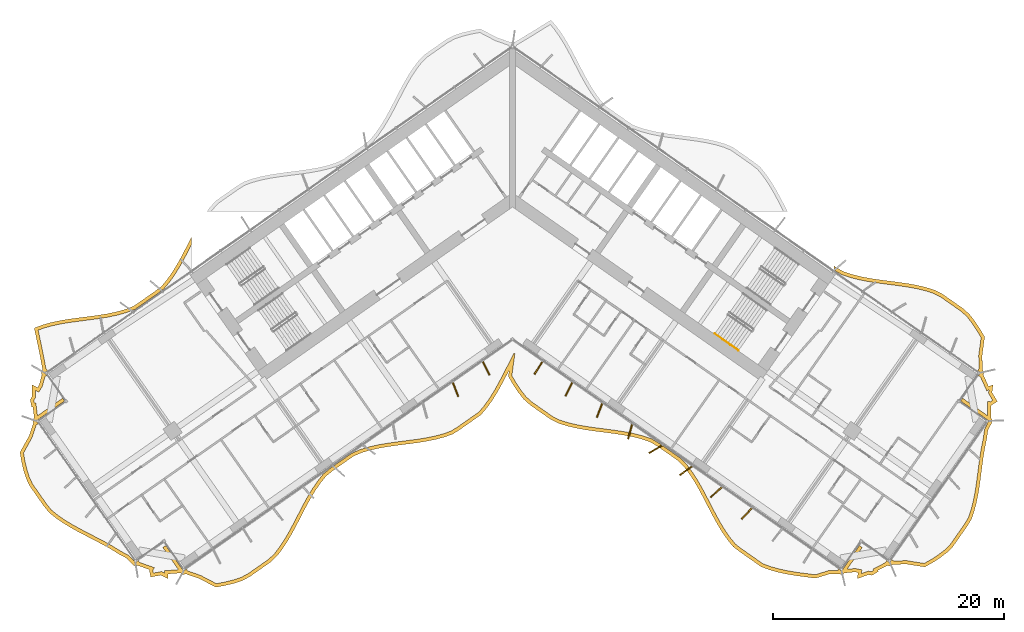
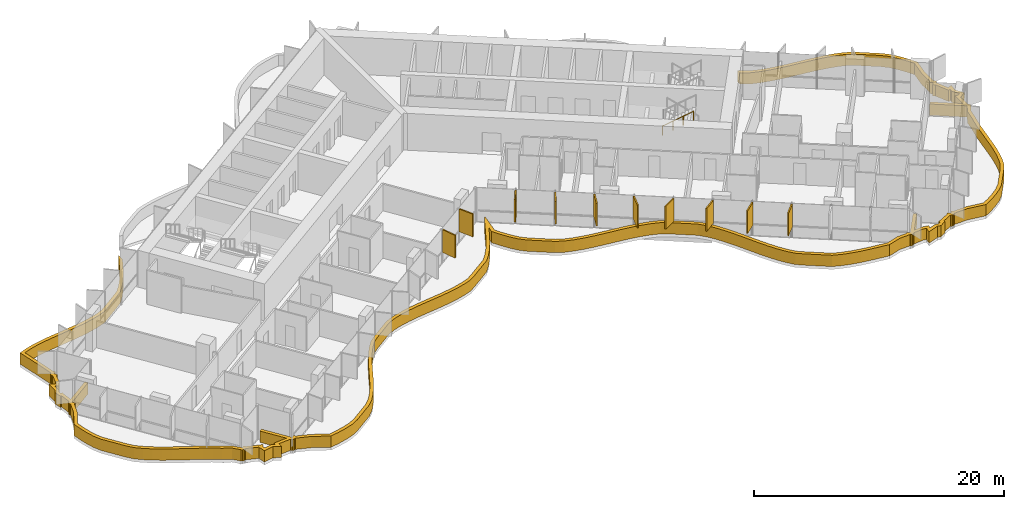
# One storey, part 20 of 23: 11 shading devices, 1 railing.
"""IFC4 building model written with IfcOpenShell, lengths in metres."""

from ifc_helpers import new_model, si_unit, direction, frame, origin, origin_2d, place, context, subcontext, project, spatial, polyline, rectangle, circle, outline, extrude, material, layer, layer_set, type_object, element, save


model = new_model("IFC4")

# Units and contexts
model_context = context("Model", 3, precision=1e-05, world=origin(), true_north=direction((0.0, 1.0)))
body_context = subcontext(model_context, "Body", "Model", "MODEL_VIEW")
ifc_project = project(units=[si_unit("LENGTHUNIT", "METRE"), si_unit("AREAUNIT", "SQUARE_METRE"), si_unit("VOLUMEUNIT", "CUBIC_METRE"), si_unit("PLANEANGLEUNIT", "RADIAN"), si_unit("MASSUNIT", "GRAM", prefix="KILO")], contexts=[model_context])

# Site, building, storey
site_placement = place(None, origin())
site = spatial("IfcSite", under=ifc_project, at=site_placement, CompositionType="ELEMENT")
building_placement = place(site_placement, origin())
building = spatial("IfcBuilding", under=site, at=building_placement, Name="Tel Ilan Convention Tower", CompositionType="ELEMENT")
storey_placement = place(building_placement, frame((0.0, 0.0, 115.699951171875)))
storey = spatial("IfcBuildingStorey", under=building, at=storey_placement, Name="L25", CompositionType="ELEMENT", Elevation=115.699951171875)

# Shading devices
ifc_material_1 = material(Name="Aluminium, bronze anodised", Category="aluminium")
ifc_layer_1 = layer(ifc_material_1, 0.1201171875)
ifc_layer_set_1 = layer_set([ifc_layer_1], Name="FIN BRONZE 1300x120")
shading_device_type_1 = type_object("IfcShadingDeviceType", Name="FIN BRONZE 1300x120", PredefinedType="USERDEFINED", material=ifc_layer_set_1)
for number, where, z_axis, x_axis, name in (
    (1, (-4.947998046875, -17.070068359375, 1.10009765625), (0.0, 0.0, 1.0), (0.360177724803, -0.932883704733, 0.0), "FIN"),
    (2, (-2.298583984375, -15.222900390625, 1.10009765625), (0.0, 0.0, 1.0), (0.448799180206, -0.893632640321, 0.0), "FIN"),
    (3, (2.2470703125, -15.18701171875, 1.10009765625), (0.0, 0.0, 1.0), (-0.533204432798, -0.845986425922, 0.0), "FIN"),
    (4, (4.893798828125, -17.039794921875, 1.10009765625), (0.0, 0.0, 1.0), (-0.448799180206, -0.893632640321, 0.0), "FIN"),
    (5, (7.543212890625, -18.88720703125, 1.10009765625), (0.0, 0.0, 1.0), (-0.360177724803, -0.932883704733, 0.0), "FIN"),
    (6, (10.19482421875, -20.728515625, 1.10009765625), (0.0, 0.0, 1.0), (-0.268172612768, -0.963370878614, 0.0), "FIN"),
    (7, (12.398193359375, -22.248779296875, 1.10009765625), (0.0, 0.0, 1.0), (-0.866025403784, -0.5, 0.0), "FIN"),
    (8, (15.0302734375, -24.114501953125, 1.10009765625), (0.0, 0.0, 1.0), (-0.813552070258, -0.581492071294, 0.0), "FIN"),
    (9, (17.667724609375, -25.9765625, 1.10009765625), (0.0, 0.0, 1.0), (-0.753435896329, -0.657521368568, 0.0), "FIN"),
    (10, (20.309814453125, -27.834228515625, 1.10009765625), (0.0, 0.0, 1.0), (-0.686241637865, -0.727373641577, 0.0), "FIN"),
):
    element("IfcShadingDevice", number, at=place(storey_placement, frame(where, z_axis=z_axis, x_axis=x_axis)), inside=storey, type_object=shading_device_type_1, Name=name, ObjectType="FIN", PredefinedType="USERDEFINED", context=body_context, shape_type="SweptSolid", body=[
        extrude(rectangle(XDim=1.300048828125, YDim=0.1201171875, at=origin_2d()), origin(), (0.0, 0.0, 1.0), 2.219970703125),
    ])
ifc_material_2 = material(Name="Aluminium, bronze anodised", Category="aluminium")
ifc_layer_2 = layer(ifc_material_2, 0.300048828125)
ifc_layer_set_2 = layer_set([ifc_layer_2], Name="LOUVRE BAND 300x1100")
shading_device_type_2 = type_object("IfcShadingDeviceType", Name="LOUVRE BAND 300x1100", PredefinedType="USERDEFINED", material=ifc_layer_set_2)
shading_device_placement = place(storey_placement, origin())
element("IfcShadingDevice", 11, at=shading_device_placement, inside=storey, type_object=shading_device_type_2, Name="LOUVRE BAND 20.01", ObjectType="LOUVRE", PredefinedType="USERDEFINED", context=body_context, shape_type="SweptSolid", body=[
    extrude(outline(polyline([(-41.95263671875, -21.091796875), (-42.734619140625, -22.51123046875), (-42.607421875, -23.294189453125), (-42.430908203125, -24.04248046875), (-42.208740234375, -24.7587890625), (-41.900146484375, -25.414794921875), (-40.671142578125, -27.170166015625), (-40.220458984375, -27.726806640625), (-39.64404296875, -28.195068359375), (-39.018310546875, -28.62890625), (-38.352294921875, -29.03466796875), (-37.656982421875, -29.419677734375), (-35.51513671875, -30.535888671875), (-34.82470703125, -30.92431640625), (-34.16357421875, -31.33349609375), (-33.458251953125, -31.711669921875), (-32.969482421875, -32.241455078125), (-32.96484375, -32.238037109375), (-32.93603515625, -32.281494140625), (-32.838623046875, -32.346435546875), (-32.723876953125, -32.369384765625), (-32.609130859375, -32.346435546875), (-32.554931640625, -32.310302734375), (-31.51708984375, -32.678955078125), (-31.52783203125, -32.69677734375), (-31.39501953125, -33.33642578125), (-30.5068359375, -33.168701171875), (-29.9072265625, -33.476806640625), (-29.906005859375, -33.06201171875), (-28.786865234375, -32.974853515625), (-28.7578125, -33.01806640625), (-28.660400390625, -33.083251953125), (-28.545654296875, -33.10595703125), (-28.430908203125, -33.083251953125), (-28.376953125, -33.047119140625), (-27.177490234375, -33.46728515625), (-25.748291015625, -34.2158203125), (-24.94677734375, -34.067626953125), (-24.174072265625, -33.878662109375), (-23.436767578125, -33.63916015625), (-22.779296875, -33.28515625), (-20.957275390625, -32.009521484375), (-20.41845703125, -31.486083984375), (-19.947509765625, -30.8662109375), (-19.5107421875, -30.197265625), (-19.1005859375, -29.490234375), (-18.708740234375, -28.75732421875), (-17.939697265625, -27.270263671875), (-17.54296875, -26.544189453125), (-17.125, -25.848388671875), (-16.677734375, -25.1943359375), (-16.19384765625, -24.5927734375), (-15.619140625, -24.12109375), (-13.797119140625, -22.84521484375), (-13.101318359375, -22.546142578125), (-12.351806640625, -22.323974609375), (-11.56884765625, -22.1494140625), (-10.760498046875, -22.01123046875), (-9.935791015625, -21.896484375), (-8.276123046875, -21.681396484375), (-7.4609375, -21.552734375), (-6.66845703125, -21.39208984375), (-5.906494140625, -21.1875), (-5.18212890625, -20.92919921875), (-4.55859375, -20.527099609375), (-2.736572265625, -19.251220703125), (-2.23828125, -18.669921875), (-1.779296875, -18.032958984375), (-1.352294921875, -17.350341796875), (-0.94921875, -16.63330078125), (-0.29345703125, -15.373291015625), (-0.367919921875, -15.928955078125), (0.045166015625, -16.631591796875), (0.487060546875, -17.29296875), (0.964599609375, -17.90380859375), (1.52197265625, -18.400634765625), (3.343994140625, -19.676513671875), (4.02001953125, -20.003662109375), (4.763427734375, -20.234375), (5.54150390625, -20.416015625), (6.34619140625, -20.559326171875), (7.1689453125, -20.67724609375), (8.829345703125, -20.89111328125), (9.647216796875, -21.015625), (10.444091796875, -21.17041015625), (11.211669921875, -21.366943359375), (11.9423828125, -21.61572265625), (12.582275390625, -21.99462890625), (14.404541015625, -23.2705078125), (14.92333984375, -23.822021484375), (15.388427734375, -24.450439453125), (15.8203125, -25.12646484375), (16.2265625, -25.8388671875), (16.61669921875, -26.574462890625), (17.38623046875, -28.060546875), (17.785888671875, -28.782470703125), (18.2080078125, -29.47216796875), (18.660888671875, -30.1181640625), (19.1513671875, -30.71044921875), (19.742431640625, -31.158935546875), (21.564697265625, -32.4345703125), (22.281005859375, -32.7041015625), (23.03662109375, -32.917724609375), (23.824462890625, -33.08544921875), (24.635986328125, -33.218994140625), (26.29443359375, -33.435546875), (27.448974609375, -33.079345703125), (28.376953125, -33.047119140625), (28.430908203125, -33.083251953125), (28.545654296875, -33.10595703125), (28.660400390625, -33.083251953125), (28.7578125, -33.01806640625), (28.786865234375, -32.974853515625), (29.716796875, -32.8935546875), (29.97412109375, -32.9453125), (29.9072265625, -33.476806640625), (30.8779296875, -33.126708984375), (31.183837890625, -33.188232421875), (31.7392578125, -32.8447265625), (31.685546875, -32.75439453125), (32.554931640625, -32.310302734375), (32.609130859375, -32.346435546875), (32.723876953125, -32.369384765625), (32.838623046875, -32.346435546875), (32.93603515625, -32.281494140625), (32.96484375, -32.238037109375), (34.16845703125, -32.208740234375), (35.769775390625, -32.4580078125), (36.4619140625, -32.07080078125), (37.104736328125, -31.64892578125), (37.701904296875, -31.195068359375), (38.212890625, -30.680908203125), (39.44189453125, -28.925537109375), (39.810791015625, -28.311767578125), (40.0537109375, -27.60986328125), (40.247314453125, -26.87353515625), (40.40087890625, -26.109130859375), (40.52490234375, -25.323974609375), (40.841064453125, -22.929443359375), (40.969970703125, -22.147705078125), (41.12841796875, -21.386474609375), (41.24267578125, -20.594482421875), (41.5732421875, -19.9541015625), (41.568603515625, -19.950927734375), (41.604736328125, -19.896728515625), (41.62744140625, -19.781982421875), (41.604736328125, -19.667236328125), (41.53955078125, -19.56982421875), (41.496337890625, -19.541015625), (41.487548828125, -18.439453125), (41.508056640625, -18.443603515625), (42.063720703125, -18.10009765625), (41.602294921875, -17.322509765625), (41.686767578125, -16.65380859375), (41.29638671875, -16.79443359375), (40.831787109375, -15.772705078125), (40.867919921875, -15.71875), (40.890869140625, -15.603759765625), (40.867919921875, -15.489013671875), (40.802978515625, -15.3916015625), (40.759521484375, -15.36279296875), (40.743408203125, -14.096435546875), (40.96044921875, -12.496826171875), (40.548828125, -11.795654296875), (40.108154296875, -11.13525390625), (39.63232421875, -10.525390625), (39.078125, -10.02783203125), (37.260498046875, -8.755126953125), (36.5888671875, -8.4248046875), (35.84814453125, -8.193115234375), (35.072998046875, -8.0107421875), (34.27099609375, -7.86669921875), (33.450927734375, -7.748779296875), (31.79443359375, -7.535400390625), (30.97802734375, -7.412109375), (30.181884765625, -7.259521484375), (29.414794921875, -7.0654296875), (28.68408203125, -6.820068359375), (28.040283203125, -6.44970703125), (27.874755859375, -6.333740234375), (27.874755859375, -6.70068359375), (28.560302734375, -7.094970703125), (29.330322265625, -7.353515625), (30.116943359375, -7.552490234375), (30.92724609375, -7.707763671875), (31.752685546875, -7.83251953125), (33.41064453125, -8.0458984375), (34.22314453125, -8.162841796875), (35.01220703125, -8.3046875), (35.76904296875, -8.482666015625), (36.477294921875, -8.7041015625), (37.107421875, -9.01416015625), (38.89111328125, -10.26318359375), (39.412109375, -10.73095703125), (39.86474609375, -11.31103515625), (40.29443359375, -11.954833984375), (40.649169921875, -12.559326171875), (40.443115234375, -14.07861328125), (40.46142578125, -15.265625), (40.344970703125, -15.431640625), (40.5908203125, -15.603759765625), (40.41943359375, -15.85009765625), (40.596923828125, -15.974365234375), (41.13720703125, -17.1708984375), (41.327880859375, -17.10205078125), (41.291748046875, -17.38720703125), (41.6552734375, -17.999755859375), (41.451171875, -18.1259765625), (41.18359375, -18.072265625), (41.197265625, -19.324462890625), (39.0419921875, -17.8154296875), (38.8701171875, -18.061279296875), (41.327392578125, -19.781982421875), (41.155517578125, -20.02783203125), (41.186279296875, -20.04931640625), (40.952880859375, -20.501708984375), (40.832763671875, -21.33447265625), (40.675048828125, -22.0927734375), (40.54443359375, -22.884521484375), (40.22802734375, -25.28076171875), (40.10546875, -26.05615234375), (39.955078125, -26.8056640625), (39.766357421875, -27.5224609375), (39.53759765625, -28.18408203125), (39.190185546875, -28.761962890625), (37.98193359375, -30.48779296875), (37.50390625, -30.96875), (36.931640625, -31.40380859375), (36.30615234375, -31.814208984375), (35.713623046875, -32.145751953125), (34.1875, -31.908203125), (33.060546875, -31.938720703125), (32.89599609375, -31.823486328125), (32.723876953125, -32.0693359375), (32.4775390625, -31.89794921875), (32.34912109375, -32.08154296875), (31.26416015625, -32.6318359375), (31.3310546875, -32.74462890625), (31.126708984375, -32.870849609375), (30.854736328125, -32.816162109375), (30.26611328125, -33.028564453125), (30.306884765625, -32.7060546875), (29.73291015625, -32.5908203125), (29.016845703125, -32.65625), (30.340087890625, -30.766357421875), (30.09423828125, -30.59423828125), (28.545654296875, -32.805908203125), (28.2998046875, -32.634033203125), (28.214111328125, -32.75634765625), (27.3994140625, -32.78076171875), (26.267822265625, -33.1298828125), (24.6806640625, -32.922119140625), (23.8798828125, -32.79052734375), (23.10888671875, -32.626220703125), (22.374755859375, -32.4189453125), (21.70556640625, -32.167236328125), (19.919189453125, -30.91650390625), (19.3603515625, -30.492431640625), (18.899658203125, -29.936279296875), (18.459228515625, -29.3076171875), (18.04541015625, -28.63134765625), (17.650634765625, -27.91845703125), (16.882568359375, -26.435791015625), (16.489501953125, -25.694091796875), (16.0771484375, -24.97119140625), (15.6357421875, -24.2802734375), (15.154052734375, -23.629150390625), (14.601806640625, -23.04248046875), (12.7451171875, -21.742431640625), (12.068603515625, -21.341796875), (11.29736328125, -21.0791015625), (10.510009765625, -20.87744140625), (9.698486328125, -20.719970703125), (8.871337890625, -20.593994140625), (7.209228515625, -20.3798828125), (6.393798828125, -20.26318359375), (5.60205078125, -20.1220703125), (4.84228515625, -19.94482421875), (4.13037109375, -19.723876953125), (3.496337890625, -19.4169921875), (1.70849609375, -18.1650390625), (1.184326171875, -17.697998046875), (0.73046875, -17.1171875), (0.299560546875, -16.471923828125), (-0.056884765625, -15.8662109375), (0.199462890625, -13.955810546875), (0.11083984375, -13.927978515625), (-0.8271484375, -15.756591796875), (-1.212890625, -16.489990234375), (-1.6103515625, -17.197265625), (-2.0283203125, -17.86572265625), (-2.474365234375, -18.484375), (-2.939697265625, -19.027099609375), (-4.72607421875, -20.278076171875), (-5.315673828125, -20.658203125), (-5.995849609375, -20.90087890625), (-6.737060546875, -21.099853515625), (-7.51416015625, -21.25732421875), (-8.319091796875, -21.384521484375), (-9.97509765625, -21.59912109375), (-10.806396484375, -21.71484375), (-11.626708984375, -21.85498046875), (-12.427001953125, -22.033447265625), (-13.20361328125, -22.263427734375), (-13.94384765625, -22.581787109375), (-15.800537109375, -23.8818359375), (-16.408203125, -24.380615234375), (-16.9189453125, -25.015380859375), (-17.377685546875, -25.686279296875), (-17.80322265625, -26.39501953125), (-18.20458984375, -27.129150390625), (-18.974365234375, -28.617919921875), (-19.36279296875, -29.34423828125), (-19.76611328125, -30.0400390625), (-20.192626953125, -30.693359375), (-20.643798828125, -31.28662109375), (-21.14892578125, -31.777587890625), (-22.93701171875, -33.029296875), (-23.55517578125, -33.362060546875), (-24.256103515625, -33.590087890625), (-25.009765625, -33.7744140625), (-25.700927734375, -33.90185546875), (-27.057861328125, -33.19140625), (-28.18359375, -32.80029296875), (-28.2998046875, -32.634033203125), (-28.545654296875, -32.805908203125), (-30.09423828125, -30.59423828125), (-30.340087890625, -30.766357421875), (-28.991455078125, -32.6923828125), (-30.205078125, -32.78369140625), (-30.20556640625, -32.986083984375), (-30.461181640625, -32.85498046875), (-31.161376953125, -32.98681640625), (-31.2099609375, -32.751708984375), (-31.068115234375, -32.518798828125), (-32.361328125, -32.06396484375), (-32.4775390625, -31.89794921875), (-32.723876953125, -32.0693359375), (-32.89599609375, -31.823486328125), (-32.927001953125, -31.84521484375), (-33.27197265625, -31.47119140625), (-34.013427734375, -31.073486328125), (-34.672119140625, -30.666015625), (-35.37158203125, -30.272216796875), (-37.514892578125, -29.155517578125), (-38.20166015625, -28.775146484375), (-38.8544921875, -28.377197265625), (-39.463623046875, -27.954833984375), (-40.007080078125, -27.513671875), (-40.431396484375, -26.989501953125), (-41.6396484375, -25.263916015625), (-41.92822265625, -24.650146484375), (-42.141357421875, -23.963623046875), (-42.31298828125, -23.235595703125), (-42.421875, -22.565185546875), (-41.6767578125, -21.212646484375), (-41.320068359375, -20.14306640625), (-41.155517578125, -20.02783203125), (-41.327392578125, -19.781982421875), (-38.8701171875, -18.061279296875), (-39.0419921875, -17.8154296875), (-41.220947265625, -19.34130859375), (-41.356689453125, -18.2177734375), (-41.485595703125, -18.2421875), (-41.534423828125, -18.007080078125), (-41.39013671875, -17.770263671875), (-41.38818359375, -17.14453125), (-41.09912109375, -17.29296875), (-40.794677734375, -16.793212890625), (-40.574462890625, -15.958740234375), (-40.41943359375, -15.85009765625), (-40.5908203125, -15.603759765625), (-40.344970703125, -15.431640625), (-40.48046875, -15.238037109375), (-40.81787109375, -13.5107421875), (-41.15283203125, -11.91748046875), (-40.691162109375, -11.74365234375), (-39.958740234375, -11.537353515625), (-39.189208984375, -11.373779296875), (-38.390625, -11.24267578125), (-35.911865234375, -10.914306640625), (-35.091064453125, -10.780029296875), (-34.288330078125, -10.610107421875), (-33.512451171875, -10.392333984375), (-32.749267578125, -10.1083984375), (-30.893798828125, -8.81396484375), (-30.2685546875, -8.34814453125), (-29.747314453125, -7.72314453125), (-29.28173828125, -7.063232421875), (-28.85107421875, -6.363037109375), (-28.4462890625, -5.63525390625), (-27.874755859375, -4.5361328125), (-27.874755859375, -3.88330078125), (-28.71044921875, -5.49267578125), (-29.10986328125, -6.211669921875), (-29.5322265625, -6.89794921875), (-29.9853515625, -7.540283203125), (-30.47607421875, -8.128662109375), (-31.069580078125, -8.57080078125), (-32.88916015625, -9.84033203125), (-33.60546875, -10.10693359375), (-34.360107421875, -10.318603515625), (-35.146240234375, -10.485107421875), (-35.956298828125, -10.61767578125), (-38.43505859375, -10.946044921875), (-39.244873046875, -11.078857421875), (-40.03076171875, -11.245849609375), (-40.784912109375, -11.45849609375), (-41.499267578125, -11.727294921875), (-41.11181640625, -13.5703125), (-40.759521484375, -15.36279296875), (-40.802978515625, -15.3916015625), (-40.867919921875, -15.489013671875), (-40.890869140625, -15.603759765625), (-40.867919921875, -15.71875), (-40.831787109375, -15.772705078125), (-41.073486328125, -16.67431640625), (-41.210205078125, -16.898681640625), (-41.686767578125, -16.65380859375), (-41.68994140625, -17.685546875), (-41.852294921875, -17.9521484375), (-41.719482421875, -18.591552734375), (-41.6162109375, -18.572021484375), (-41.496337890625, -19.541015625), (-41.53955078125, -19.56982421875), (-41.604736328125, -19.667236328125), (-41.62744140625, -19.781982421875), (-41.604736328125, -19.896728515625), (-41.568603515625, -19.950927734375), (-41.95263671875, -21.091796875)])), origin(), (0.0, 0.0, 1.0), 1.10009765625),
])

# Railing
ifc_material_3 = material(Name="Stainless Steel Grade 316", Category="steel")
railing_type = type_object("IfcRailingType", Name="Stainless Steel Stair Handrail 900 mm", PredefinedType="HANDRAIL", material=ifc_material_3)
railing_placement = place(storey_placement, frame((17.542236328125, -12.22216796875, 1.97998046875)))
element("IfcRailing", 12, at=railing_placement, inside=storey, type_object=railing_type, Name="L25 S4 stair handrail 2", PredefinedType="HANDRAIL", context=body_context, shape_type="SweptSolid", body=[
    extrude(circle(Radius=0.02392578125, at=origin_2d()), frame((0.0, 0.0, 0.8759765625), z_axis=(0.689040105437, -0.482450316285, 0.54080072616), x_axis=(0.573559875649, 0.819163639968, 0.0)), (0.0, 0.0, 1.0), 2.995849609375),
    extrude(circle(Radius=0.02099609375, at=origin_2d()), origin(), (0.0, 0.0, 1.0), 0.851806640625),
    extrude(circle(Radius=0.02099609375, at=origin_2d()), frame((0.68798828125, -0.481689453125, 0.5400390625)), (0.0, 0.0, 1.0), 0.851806640625),
    extrude(circle(Radius=0.02099609375, at=origin_2d()), frame((1.376220703125, -0.963623046875, 1.080078125)), (0.0, 0.0, 1.0), 0.851806640625),
    extrude(circle(Radius=0.02099609375, at=origin_2d()), frame((2.064208984375, -1.4453125, 1.6201171875)), (0.0, 0.0, 1.0), 0.851806640625),
])

save(model, "model.ifc")
